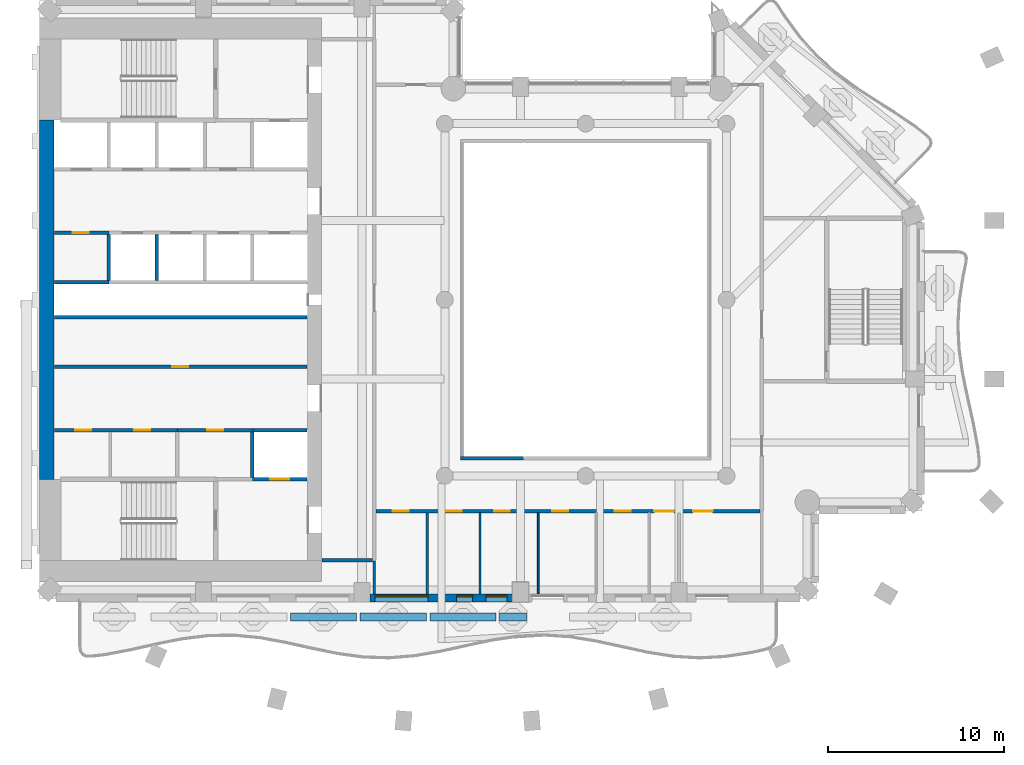
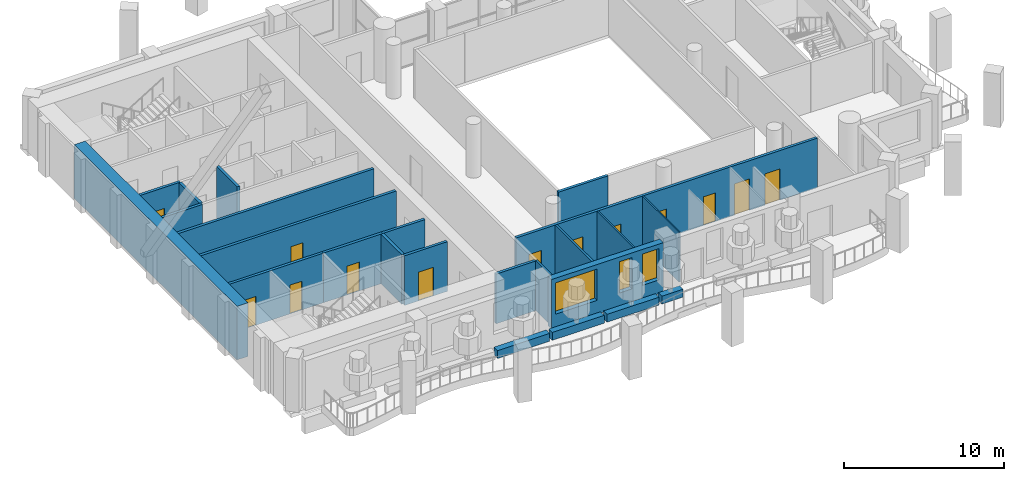
# One storey, part 4 of 16: 24 walls, 13 doors, 3 windows, 16 openings.
"""IFC4 building model written with IfcOpenShell, lengths in metres."""

from ifc_helpers import new_model, si_unit, direction, frame, frame_2d, origin, place, context, subcontext, project, spatial, rectangle, extrude, material, layer, layer_set, type_object, element, fill, save


model = new_model("IFC4")

# Units and contexts
model_context = context("Model", 3, precision=1e-05, world=origin(), true_north=direction((0.0, 1.0)))
body_context = subcontext(model_context, "Body", "Model", "MODEL_VIEW")
ifc_project = project(units=[si_unit("LENGTHUNIT", "METRE"), si_unit("AREAUNIT", "SQUARE_METRE"), si_unit("VOLUMEUNIT", "CUBIC_METRE"), si_unit("PLANEANGLEUNIT", "RADIAN"), si_unit("MASSUNIT", "GRAM", prefix="KILO")], contexts=[model_context])

# Site, building, storey
site_placement = place(None, origin())
site = spatial("IfcSite", under=ifc_project, at=site_placement, CompositionType="ELEMENT")
building_placement = place(site_placement, origin())
building = spatial("IfcBuilding", under=site, at=building_placement, Name="Cypress Arch Tower", CompositionType="ELEMENT")
storey_placement = place(building_placement, frame((0.0, 0.0, 172.800048828125)))
storey = spatial("IfcBuildingStorey", under=building, at=storey_placement, Name="L37", CompositionType="ELEMENT", Elevation=172.800048828125)

# Walls
ifc_material_1 = material(Name="Concrete C40/50, waterproofed", Category="concrete")
ifc_layer_1 = layer(ifc_material_1, 0.449951171875)
ifc_layer_set_1 = layer_set([ifc_layer_1], Name="Balcony planter wall PW450")
wall_type_1 = type_object("IfcWallType", Name="Balcony planter wall PW450", PredefinedType="SOLIDWALL", material=ifc_layer_set_1)
for number, where, z_axis, x_axis, name in (
    (1, (-15.77001953125, -18.0, 0.0), (0.0, 0.0, 1.0), (1.0, 0.0, 0.0), "Balcony planter wall L37-B01.4"),
    (2, (-11.81005859375, -18.0, 0.0), (0.0, 0.0, 1.0), (1.0, 0.0, 0.0), "Balcony planter wall L37-B01.5"),
    (3, (-7.85009765625, -18.0, 0.0), (0.0, 0.0, 1.0), (1.0, 0.0, 0.0), "Balcony planter wall L37-B01.6"),
):
    element("IfcWall", number, at=place(storey_placement, frame(where, z_axis=z_axis, x_axis=x_axis)), inside=storey, type_object=wall_type_1, Name=name, PredefinedType="SOLIDWALL", context=body_context, shape_type="SweptSolid", body=[
        extrude(rectangle(XDim=3.760009765625, YDim=0.449951171875, at=frame_2d((1.8798828125, 0.0))), origin(), (0.0, 0.0, 1.0), 0.599853515625),
    ])
wall_1_placement = place(storey_placement, frame((-3.889892578125, -18.0, 0.0), z_axis=(0.0, 0.0, 1.0), x_axis=(1.0, 0.0, 0.0)))
element("IfcWall", 4, at=wall_1_placement, inside=storey, type_object=wall_type_1, Name="Balcony planter wall L37-B01.7", PredefinedType="SOLIDWALL", context=body_context, shape_type="SweptSolid", body=[
    extrude(rectangle(XDim=1.539794921875, YDim=0.449951171875, at=frame_2d((0.77001953125, 0.0))), origin(), (0.0, 0.0, 1.0), 0.599853515625),
])

# Wall, openings, windows
ifc_material_2 = material(Name="Brick (red buff blend)", Category="masonry")
ifc_layer_2 = layer(ifc_material_2, 0.449951171875)
ifc_layer_set_2 = layer_set([ifc_layer_2], Name="Brick pier and spandrel wall BW450")
wall_type_2 = type_object("IfcWallType", Name="Brick pier and spandrel wall BW450", PredefinedType="SOLIDWALL", material=ifc_layer_set_2)
wall_2_placement = place(storey_placement, frame((-11.25, -16.925048828125, 0.0), z_axis=(0.0, 0.0, 1.0), x_axis=(1.0, 0.0, 0.0)))
wall_2 = element("IfcWall", 5, at=wall_2_placement, inside=storey, type_object=wall_type_2, Name="Brick wall L37 B01.2", PredefinedType="SOLIDWALL", context=body_context, shape_type="SweptSolid", body=[
    extrude(rectangle(XDim=8.10009765625, YDim=0.449951171875, at=frame_2d((4.050048828125, 0.0))), origin(), (0.0, 0.0, 1.0), 3.800048828125),
])
opening_1_placement = place(wall_2_placement, frame((0.300048828125, 0.0, 1.050048828125)))
opening_1 = element("IfcOpeningElement", 6, at=opening_1_placement, cuts=wall_2, Name="Opening W300OD", PredefinedType="OPENING", context=body_context, shape_type="SweptSolid", body=[
    extrude(rectangle(XDim=3.0, YDim=2.39990234375, at=frame_2d((1.5, 1.199951171875))), frame((0.0, 0.23486328125, 0.0), z_axis=(0.0, -1.0, 0.0), x_axis=(1.0, 0.0, 0.0)), (0.0, 0.0, 1.0), 0.469970703125),
])
opening_2_placement = place(wall_2_placement, frame((4.925048828125, 0.0, 1.050048828125)))
opening_2 = element("IfcOpeningElement", 7, at=opening_2_placement, cuts=wall_2, Name="Opening W090OD", PredefinedType="OPENING", context=body_context, shape_type="SweptSolid", body=[
    extrude(rectangle(XDim=0.89990234375, YDim=2.39990234375, at=frame_2d((0.449951171875, 1.199951171875))), frame((0.0, 0.23486328125, 0.0), z_axis=(0.0, -1.0, 0.0), x_axis=(1.0, 0.0, 0.0)), (0.0, 0.0, 1.0), 0.469970703125),
])
opening_3_placement = place(wall_2_placement, frame((6.574951171875, 0.0, 1.050048828125)))
opening_3 = element("IfcOpeningElement", 8, at=opening_3_placement, cuts=wall_2, Name="Opening W120OD", PredefinedType="OPENING", context=body_context, shape_type="SweptSolid", body=[
    extrude(rectangle(XDim=1.199951171875, YDim=2.39990234375, at=frame_2d((0.60009765625, 1.199951171875))), frame((0.0, 0.23486328125, 0.0), z_axis=(0.0, -1.0, 0.0), x_axis=(1.0, 0.0, 0.0)), (0.0, 0.0, 1.0), 0.469970703125),
])
ifc_material_3 = material(Name="Anodised aluminium, bronze finish, laminated low-emissivity double glazing, large-missile impact rated", Category="aluminium")
window_type_1 = type_object("IfcWindowType", Name="Window Office 1200x2400 debris-rated", PartitioningType="SINGLE_PANEL", PredefinedType="WINDOW", material=ifc_material_3)
window_1_placement = place(opening_3_placement, origin())
window_1 = element("IfcWindow", 9, at=window_1_placement, inside=storey, type_object=window_type_1, Name="Window L37 B01.2.2b", OverallHeight=2.39990234375, OverallWidth=1.199951171875, PartitioningType="SINGLE_PANEL", PredefinedType="WINDOW", context=body_context, shape_type="SweptSolid", body=[
    extrude(rectangle(XDim=1.199951171875, YDim=2.39990234375, at=frame_2d((0.60009765625, 1.199951171875))), frame((0.0, 0.135009765625, 0.0), z_axis=(0.0, -1.0, 0.0), x_axis=(1.0, 0.0, 0.0)), (0.0, 0.0, 1.0), 0.06005859375),
])
fill(opening_3, window_1)
ifc_material_4 = material(Name="Anodised aluminium, bronze finish, laminated low-emissivity double glazing, large-missile impact rated", Category="aluminium")
window_type_2 = type_object("IfcWindowType", Name="Window Office 3000x2400 debris-rated", PartitioningType="SINGLE_PANEL", PredefinedType="WINDOW", material=ifc_material_4)
window_2_placement = place(opening_1_placement, origin())
window_2 = element("IfcWindow", 10, at=window_2_placement, inside=storey, type_object=window_type_2, Name="Window L37 B01.2.1", OverallHeight=2.39990234375, OverallWidth=3.0, PartitioningType="SINGLE_PANEL", PredefinedType="WINDOW", context=body_context, shape_type="SweptSolid", body=[
    extrude(rectangle(XDim=3.0, YDim=2.39990234375, at=frame_2d((1.5, 1.199951171875))), frame((0.0, 0.135009765625, 0.0), z_axis=(0.0, -1.0, 0.0), x_axis=(1.0, 0.0, 0.0)), (0.0, 0.0, 1.0), 0.06005859375),
])
fill(opening_1, window_2)
ifc_material_5 = material(Name="Anodised aluminium, bronze finish, laminated low-emissivity double glazing, large-missile impact rated", Category="aluminium")
window_type_3 = type_object("IfcWindowType", Name="Window Office 900x2400 debris-rated", PartitioningType="SINGLE_PANEL", PredefinedType="WINDOW", material=ifc_material_5)
window_3_placement = place(opening_2_placement, origin())
window_3 = element("IfcWindow", 11, at=window_3_placement, inside=storey, type_object=window_type_3, Name="Window L37 B01.2.2", OverallHeight=2.39990234375, OverallWidth=0.89990234375, PartitioningType="SINGLE_PANEL", PredefinedType="WINDOW", context=body_context, shape_type="SweptSolid", body=[
    extrude(rectangle(XDim=0.89990234375, YDim=2.39990234375, at=frame_2d((0.449951171875, 1.199951171875))), frame((0.0, 0.135009765625, 0.0), z_axis=(0.0, -1.0, 0.0), x_axis=(1.0, 0.0, 0.0)), (0.0, 0.0, 1.0), 0.06005859375),
])
fill(opening_2, window_3)

# Wall
ifc_material_6 = material(Name="Concrete C70/85", Category="concrete")
ifc_layer_3 = layer(ifc_material_6, 0.800048828125)
ifc_layer_set_3 = layer_set([ifc_layer_3], Name="Core wall CW800 C70/85")
wall_type_3 = type_object("IfcWallType", Name="Core wall CW800 C70/85", PredefinedType="SHEAR", material=ifc_layer_set_3)
wall_3_placement = place(storey_placement, frame((-29.60009765625, -10.199951171875, 0.0), z_axis=(0.0, 0.0, 1.0), x_axis=(0.0, 1.0, 0.0)))
element("IfcWall", 12, at=wall_3_placement, inside=storey, type_object=wall_type_3, Name="Core wall", PredefinedType="SHEAR", context=body_context, shape_type="SweptSolid", body=[
    extrude(rectangle(XDim=20.39990234375, YDim=0.800048828125, at=frame_2d((10.199951171875, 0.0))), origin(), (0.0, 0.0, 1.0), 4.099853515625),
])

# Wall, openings, doors
ifc_material_7 = material(Name="Concrete blockwork, plastered, rated", Category="masonry")
ifc_layer_4 = layer(ifc_material_7, 0.199951171875)
ifc_layer_set_4 = layer_set([ifc_layer_4], Name="Corridor wall FW200")
wall_type_4 = type_object("IfcWallType", Name="Corridor wall FW200", PredefinedType="PARTITIONING", material=ifc_layer_set_4)
wall_4_placement = place(storey_placement, frame((-29.169921875, -7.39990234375, 0.0), z_axis=(0.0, 0.0, 1.0), x_axis=(1.0, 0.0, 0.0)))
wall_4 = element("IfcWall", 13, at=wall_4_placement, inside=storey, type_object=wall_type_4, Name="Corridor wall", PredefinedType="PARTITIONING", context=body_context, shape_type="SweptSolid", body=[
    extrude(rectangle(XDim=6.989990234375, YDim=0.199951171875, at=frame_2d((3.4951171875, 0.0))), origin(), (0.0, 0.0, 1.0), 3.800048828125),
])
opening_4_placement = place(wall_4_placement, frame((1.199951171875, 0.0, 0.0)))
opening_4 = element("IfcOpeningElement", 14, at=opening_4_placement, cuts=wall_4, Name="Opening D05", PredefinedType="OPENING", context=body_context, shape_type="SweptSolid", body=[
    extrude(rectangle(XDim=0.89990234375, YDim=2.199951171875, at=frame_2d((0.449951171875, 1.10009765625))), frame((0.0, 0.10986328125, 0.0), z_axis=(0.0, -1.0, 0.0), x_axis=(1.0, 0.0, 0.0)), (0.0, 0.0, 1.0), 0.219970703125),
])
opening_5_placement = place(wall_4_placement, frame((4.550048828125, 0.0, 0.0)))
opening_5 = element("IfcOpeningElement", 15, at=opening_5_placement, cuts=wall_4, Name="Opening D05", PredefinedType="OPENING", context=body_context, shape_type="SweptSolid", body=[
    extrude(rectangle(XDim=0.89990234375, YDim=2.199951171875, at=frame_2d((0.449951171875, 1.10009765625))), frame((0.0, 0.10986328125, 0.0), z_axis=(0.0, -1.0, 0.0), x_axis=(1.0, 0.0, 0.0)), (0.0, 0.0, 1.0), 0.219970703125),
])
ifc_material_8 = material(Name="Timber flush door", Category="wood")
door_type_1 = type_object("IfcDoorType", Name="Service door D05 900x2200", OperationType="SINGLE_SWING_LEFT", PredefinedType="DOOR", material=ifc_material_8)
door_1_placement = place(opening_4_placement, origin())
door_1 = element("IfcDoor", 16, at=door_1_placement, inside=storey, type_object=door_type_1, Name="Service door", OperationType="SINGLE_SWING_LEFT", OverallHeight=2.199951171875, OverallWidth=0.89990234375, PredefinedType="DOOR", context=body_context, shape_type="SweptSolid", body=[
    extrude(rectangle(XDim=0.89990234375, YDim=2.199951171875, at=frame_2d((0.449951171875, 1.10009765625))), frame((0.0, 0.02490234375, 0.0), z_axis=(0.0, -1.0, 0.0), x_axis=(1.0, 0.0, 0.0)), (0.0, 0.0, 1.0), 0.050048828125),
])
fill(opening_4, door_1)
door_2_placement = place(opening_5_placement, origin())
door_2 = element("IfcDoor", 17, at=door_2_placement, inside=storey, type_object=door_type_1, Name="Service door", OperationType="SINGLE_SWING_RIGHT", OverallHeight=2.199951171875, OverallWidth=0.89990234375, PredefinedType="DOOR", context=body_context, shape_type="SweptSolid", body=[
    extrude(rectangle(XDim=0.89990234375, YDim=2.199951171875, at=frame_2d((0.449951171875, 1.10009765625))), frame((0.0, 0.02490234375, 0.0), z_axis=(0.0, -1.0, 0.0), x_axis=(1.0, 0.0, 0.0)), (0.0, 0.0, 1.0), 0.050048828125),
])
fill(opening_5, door_2)

# Wall, opening, door
wall_5_placement = place(storey_placement, frame((-29.169921875, -3.800048828125, 0.0), z_axis=(0.0, 0.0, 1.0), x_axis=(1.0, 0.0, 0.0)))
wall_5 = element("IfcWall", 18, at=wall_5_placement, inside=storey, type_object=wall_type_4, Name="Corridor wall", PredefinedType="PARTITIONING", context=body_context, shape_type="SweptSolid", body=[
    extrude(rectangle(XDim=14.33984375, YDim=0.199951171875, at=frame_2d((7.169921875, 0.0))), origin(), (0.0, 0.0, 1.0), 3.800048828125),
])
opening_6_placement = place(wall_5_placement, frame((6.699951171875, 0.0, 0.0)))
opening_6 = element("IfcOpeningElement", 19, at=opening_6_placement, cuts=wall_5, Name="Opening D05", PredefinedType="OPENING", context=body_context, shape_type="SweptSolid", body=[
    extrude(rectangle(XDim=0.89990234375, YDim=2.199951171875, at=frame_2d((0.449951171875, 1.10009765625))), frame((0.0, 0.10986328125, 0.0), z_axis=(0.0, -1.0, 0.0), x_axis=(1.0, 0.0, 0.0)), (0.0, 0.0, 1.0), 0.219970703125),
])
door_3_placement = place(opening_6_placement, origin())
door_3 = element("IfcDoor", 20, at=door_3_placement, inside=storey, type_object=door_type_1, Name="Service door", OperationType="SINGLE_SWING_LEFT", OverallHeight=2.199951171875, OverallWidth=0.89990234375, PredefinedType="DOOR", context=body_context, shape_type="SweptSolid", body=[
    extrude(rectangle(XDim=0.89990234375, YDim=2.199951171875, at=frame_2d((0.449951171875, 1.10009765625))), frame((0.0, 0.02490234375, 0.0), z_axis=(0.0, -1.0, 0.0), x_axis=(1.0, 0.0, 0.0)), (0.0, 0.0, 1.0), 0.050048828125),
])
fill(opening_6, door_3)

wall_6_placement = place(storey_placement, frame((-29.169921875, 3.800048828125, 0.0), z_axis=(0.0, 0.0, 1.0), x_axis=(1.0, 0.0, 0.0)))
wall_6 = element("IfcWall", 21, at=wall_6_placement, inside=storey, type_object=wall_type_4, Name="Corridor wall", PredefinedType="PARTITIONING", context=body_context, shape_type="SweptSolid", body=[
    extrude(rectangle(XDim=3.08984375, YDim=0.199951171875, at=frame_2d((1.544921875, 0.0))), origin(), (0.0, 0.0, 1.0), 3.800048828125),
])
opening_7_placement = place(wall_6_placement, frame((1.050048828125, 0.0, 0.0)))
opening_7 = element("IfcOpeningElement", 22, at=opening_7_placement, cuts=wall_6, Name="Opening D05", PredefinedType="OPENING", context=body_context, shape_type="SweptSolid", body=[
    extrude(rectangle(XDim=0.89990234375, YDim=2.199951171875, at=frame_2d((0.449951171875, 1.10009765625))), frame((0.0, 0.10986328125, 0.0), z_axis=(0.0, -1.0, 0.0), x_axis=(1.0, 0.0, 0.0)), (0.0, 0.0, 1.0), 0.219970703125),
])
door_4_placement = place(opening_7_placement, origin())
door_4 = element("IfcDoor", 23, at=door_4_placement, inside=storey, type_object=door_type_1, Name="Service door", OperationType="SINGLE_SWING_LEFT", OverallHeight=2.199951171875, OverallWidth=0.89990234375, PredefinedType="DOOR", context=body_context, shape_type="SweptSolid", body=[
    extrude(rectangle(XDim=0.89990234375, YDim=2.199951171875, at=frame_2d((0.449951171875, 1.10009765625))), frame((0.0, 0.02490234375, 0.0), z_axis=(0.0, -1.0, 0.0), x_axis=(1.0, 0.0, 0.0)), (0.0, 0.0, 1.0), 0.050048828125),
])
fill(opening_7, door_4)

# Wall
wall_7_placement = place(storey_placement, frame((-13.969970703125, -14.800048828125, 0.0), z_axis=(0.0, 0.0, 1.0), x_axis=(1.0, 0.0, 0.0)))
element("IfcWall", 24, at=wall_7_placement, inside=storey, type_object=wall_type_4, Name="Corridor wall", PredefinedType="PARTITIONING", context=body_context, shape_type="SweptSolid", body=[
    extrude(rectangle(XDim=2.869873046875, YDim=0.199951171875, at=frame_2d((1.43505859375, 0.0))), origin(), (0.0, 0.0, 1.0), 3.800048828125),
])

# Wall, openings, doors
wall_8_placement = place(storey_placement, frame((-10.89990234375, -12.0, 0.0), z_axis=(0.0, 0.0, 1.0), x_axis=(1.0, 0.0, 0.0)))
wall_8 = element("IfcWall", 25, at=wall_8_placement, inside=storey, type_object=wall_type_4, Name="Corridor wall", PredefinedType="PARTITIONING", context=body_context, shape_type="SweptSolid", body=[
    extrude(rectangle(XDim=21.7998046875, YDim=0.199951171875, at=frame_2d((10.89990234375, 0.0))), origin(), (0.0, 0.0, 1.0), 3.800048828125),
])
opening_8_placement = place(wall_8_placement, frame((0.949951171875, 0.0, 0.0)))
opening_8 = element("IfcOpeningElement", 26, at=opening_8_placement, cuts=wall_8, Name="Opening D05", PredefinedType="OPENING", context=body_context, shape_type="SweptSolid", body=[
    extrude(rectangle(XDim=0.89990234375, YDim=2.199951171875, at=frame_2d((0.449951171875, 1.10009765625))), frame((0.0, 0.10986328125, 0.0), z_axis=(0.0, -1.0, 0.0), x_axis=(1.0, 0.0, 0.0)), (0.0, 0.0, 1.0), 0.219970703125),
])
opening_9_placement = place(wall_8_placement, frame((3.949951171875, 0.0, 0.0)))
opening_9 = element("IfcOpeningElement", 27, at=opening_9_placement, cuts=wall_8, Name="Opening D05", PredefinedType="OPENING", context=body_context, shape_type="SweptSolid", body=[
    extrude(rectangle(XDim=0.89990234375, YDim=2.199951171875, at=frame_2d((0.449951171875, 1.10009765625))), frame((0.0, 0.10986328125, 0.0), z_axis=(0.0, -1.0, 0.0), x_axis=(1.0, 0.0, 0.0)), (0.0, 0.0, 1.0), 0.219970703125),
])
opening_10_placement = place(wall_8_placement, frame((6.699951171875, 0.0, 0.0)))
opening_10 = element("IfcOpeningElement", 28, at=opening_10_placement, cuts=wall_8, Name="Opening D03", PredefinedType="OPENING", context=body_context, shape_type="SweptSolid", body=[
    extrude(rectangle(XDim=0.89990234375, YDim=2.199951171875, at=frame_2d((0.449951171875, 1.10009765625))), frame((0.0, 0.10986328125, 0.0), z_axis=(0.0, -1.0, 0.0), x_axis=(1.0, 0.0, 0.0)), (0.0, 0.0, 1.0), 0.219970703125),
])
opening_11_placement = place(wall_8_placement, frame((10.0, 0.0, 0.0)))
opening_11 = element("IfcOpeningElement", 29, at=opening_11_placement, cuts=wall_8, Name="Opening D03", PredefinedType="OPENING", context=body_context, shape_type="SweptSolid", body=[
    extrude(rectangle(XDim=0.89990234375, YDim=2.199951171875, at=frame_2d((0.449951171875, 1.10009765625))), frame((0.0, 0.10986328125, 0.0), z_axis=(0.0, -1.0, 0.0), x_axis=(1.0, 0.0, 0.0)), (0.0, 0.0, 1.0), 0.219970703125),
])
opening_12_placement = place(wall_8_placement, frame((13.550048828125, 0.0, 0.0)))
opening_12 = element("IfcOpeningElement", 30, at=opening_12_placement, cuts=wall_8, Name="Opening D03", PredefinedType="OPENING", context=body_context, shape_type="SweptSolid", body=[
    extrude(rectangle(XDim=0.89990234375, YDim=2.199951171875, at=frame_2d((0.449951171875, 1.10009765625))), frame((0.0, 0.10986328125, 0.0), z_axis=(0.0, -1.0, 0.0), x_axis=(1.0, 0.0, 0.0)), (0.0, 0.0, 1.0), 0.219970703125),
])
opening_13_placement = place(wall_8_placement, frame((15.800048828125, 0.0, 0.0)))
opening_13 = element("IfcOpeningElement", 31, at=opening_13_placement, cuts=wall_8, Name="Opening D01", PredefinedType="OPENING", context=body_context, shape_type="SweptSolid", body=[
    extrude(rectangle(XDim=1.10009765625, YDim=2.39990234375, at=frame_2d((0.550048828125, 1.199951171875))), frame((0.0, 0.10986328125, 0.0), z_axis=(0.0, -1.0, 0.0), x_axis=(1.0, 0.0, 0.0)), (0.0, 0.0, 1.0), 0.219970703125),
])
opening_14_placement = place(wall_8_placement, frame((18.0, 0.0, 0.0)))
opening_14 = element("IfcOpeningElement", 32, at=opening_14_placement, cuts=wall_8, Name="Opening D01", PredefinedType="OPENING", context=body_context, shape_type="SweptSolid", body=[
    extrude(rectangle(XDim=1.10009765625, YDim=2.39990234375, at=frame_2d((0.550048828125, 1.199951171875))), frame((0.0, 0.10986328125, 0.0), z_axis=(0.0, -1.0, 0.0), x_axis=(1.0, 0.0, 0.0)), (0.0, 0.0, 1.0), 0.219970703125),
])
ifc_material_9 = material(Name="Timber flush door, moisture resistant", Category="wood")
door_type_2 = type_object("IfcDoorType", Name="Bathroom door D03 900x2200", OperationType="SINGLE_SWING_LEFT", PredefinedType="DOOR", material=ifc_material_9)
door_5_placement = place(opening_10_placement, origin())
door_5 = element("IfcDoor", 33, at=door_5_placement, inside=storey, type_object=door_type_2, Name="Bathroom door", OperationType="SINGLE_SWING_RIGHT", OverallHeight=2.199951171875, OverallWidth=0.89990234375, PredefinedType="DOOR", context=body_context, shape_type="SweptSolid", body=[
    extrude(rectangle(XDim=0.89990234375, YDim=2.199951171875, at=frame_2d((0.449951171875, 1.10009765625))), frame((0.0, 0.02490234375, 0.0), z_axis=(0.0, -1.0, 0.0), x_axis=(1.0, 0.0, 0.0)), (0.0, 0.0, 1.0), 0.050048828125),
])
fill(opening_10, door_5)
door_6_placement = place(opening_11_placement, origin())
door_6 = element("IfcDoor", 34, at=door_6_placement, inside=storey, type_object=door_type_2, Name="Bathroom door", OperationType="SINGLE_SWING_RIGHT", OverallHeight=2.199951171875, OverallWidth=0.89990234375, PredefinedType="DOOR", context=body_context, shape_type="SweptSolid", body=[
    extrude(rectangle(XDim=0.89990234375, YDim=2.199951171875, at=frame_2d((0.449951171875, 1.10009765625))), frame((0.0, 0.02490234375, 0.0), z_axis=(0.0, -1.0, 0.0), x_axis=(1.0, 0.0, 0.0)), (0.0, 0.0, 1.0), 0.050048828125),
])
fill(opening_11, door_6)
door_7_placement = place(opening_12_placement, origin())
door_7 = element("IfcDoor", 35, at=door_7_placement, inside=storey, type_object=door_type_2, Name="Bathroom door", OperationType="SINGLE_SWING_RIGHT", OverallHeight=2.199951171875, OverallWidth=0.89990234375, PredefinedType="DOOR", context=body_context, shape_type="SweptSolid", body=[
    extrude(rectangle(XDim=0.89990234375, YDim=2.199951171875, at=frame_2d((0.449951171875, 1.10009765625))), frame((0.0, 0.02490234375, 0.0), z_axis=(0.0, -1.0, 0.0), x_axis=(1.0, 0.0, 0.0)), (0.0, 0.0, 1.0), 0.050048828125),
])
fill(opening_12, door_7)
door_8_placement = place(opening_8_placement, origin())
door_8 = element("IfcDoor", 36, at=door_8_placement, inside=storey, type_object=door_type_1, Name="Service door", OperationType="SINGLE_SWING_RIGHT", OverallHeight=2.199951171875, OverallWidth=0.89990234375, PredefinedType="DOOR", context=body_context, shape_type="SweptSolid", body=[
    extrude(rectangle(XDim=0.89990234375, YDim=2.199951171875, at=frame_2d((0.449951171875, 1.10009765625))), frame((0.0, 0.02490234375, 0.0), z_axis=(0.0, -1.0, 0.0), x_axis=(1.0, 0.0, 0.0)), (0.0, 0.0, 1.0), 0.050048828125),
])
fill(opening_8, door_8)
door_9_placement = place(opening_9_placement, origin())
door_9 = element("IfcDoor", 37, at=door_9_placement, inside=storey, type_object=door_type_1, Name="Service door", OperationType="SINGLE_SWING_RIGHT", OverallHeight=2.199951171875, OverallWidth=0.89990234375, PredefinedType="DOOR", context=body_context, shape_type="SweptSolid", body=[
    extrude(rectangle(XDim=0.89990234375, YDim=2.199951171875, at=frame_2d((0.449951171875, 1.10009765625))), frame((0.0, 0.02490234375, 0.0), z_axis=(0.0, -1.0, 0.0), x_axis=(1.0, 0.0, 0.0)), (0.0, 0.0, 1.0), 0.050048828125),
])
fill(opening_9, door_9)
ifc_material_10 = material(Name="Timber flush door, fire resisting, self-closing", Category="wood")
door_type_3 = type_object("IfcDoorType", Name="Unit entrance door D01 1100x2400", OperationType="SINGLE_SWING_LEFT", PredefinedType="DOOR", material=ifc_material_10)
door_10_placement = place(opening_13_placement, origin())
door_10 = element("IfcDoor", 38, at=door_10_placement, inside=storey, type_object=door_type_3, Name="Unit entrance door", OperationType="SINGLE_SWING_LEFT", OverallHeight=2.39990234375, OverallWidth=1.10009765625, PredefinedType="DOOR", context=body_context, shape_type="SweptSolid", body=[
    extrude(rectangle(XDim=1.10009765625, YDim=2.39990234375, at=frame_2d((0.550048828125, 1.199951171875))), frame((0.0, 0.02490234375, 0.0), z_axis=(0.0, -1.0, 0.0), x_axis=(1.0, 0.0, 0.0)), (0.0, 0.0, 1.0), 0.050048828125),
])
fill(opening_13, door_10)
door_11_placement = place(opening_14_placement, origin())
door_11 = element("IfcDoor", 39, at=door_11_placement, inside=storey, type_object=door_type_3, Name="Unit entrance door", OperationType="SINGLE_SWING_RIGHT", OverallHeight=2.39990234375, OverallWidth=1.10009765625, PredefinedType="DOOR", context=body_context, shape_type="SweptSolid", body=[
    extrude(rectangle(XDim=1.10009765625, YDim=2.39990234375, at=frame_2d((0.550048828125, 1.199951171875))), frame((0.0, 0.02490234375, 0.0), z_axis=(0.0, -1.0, 0.0), x_axis=(1.0, 0.0, 0.0)), (0.0, 0.0, 1.0), 0.050048828125),
])
fill(opening_14, door_11)

# Walls
wall_9_placement = place(storey_placement, frame((-6.10009765625, -9.0, 0.0), z_axis=(0.0, 0.0, 1.0), x_axis=(1.0, 0.0, 0.0)))
element("IfcWall", 40, at=wall_9_placement, inside=storey, type_object=wall_type_4, Name="Corridor wall", PredefinedType="PARTITIONING", context=body_context, shape_type="SweptSolid", body=[
    extrude(rectangle(XDim=3.580078125, YDim=0.199951171875, at=frame_2d((1.7900390625, 0.0))), origin(), (0.0, 0.0, 1.0), 3.800048828125),
])
ifc_material_11 = material(Name="Blockwork, plastered both sides", Category="masonry")
ifc_layer_5 = layer(ifc_material_11, 0.14990234375)
ifc_layer_set_5 = layer_set([ifc_layer_5], Name="Partition PW150")
wall_type_5 = type_object("IfcWallType", Name="Partition PW150", PredefinedType="PARTITIONING", material=ifc_layer_set_5)
wall_10_placement = place(storey_placement, frame((-11.0, -16.699951171875, 0.0), z_axis=(0.0, 0.0, 1.0), x_axis=(0.0, 1.0, 0.0)))
element("IfcWall", 41, at=wall_10_placement, inside=storey, type_object=wall_type_5, Name="Partition", PredefinedType="PARTITIONING", context=body_context, shape_type="SweptSolid", body=[
    extrude(rectangle(XDim=1.8798828125, YDim=0.14990234375, at=frame_2d((0.93994140625, 0.0))), origin(), (0.0, 0.0, 1.0), 3.800048828125),
])
wall_11_placement = place(storey_placement, frame((-8.0, -16.699951171875, 0.0), z_axis=(0.0, 0.0, 1.0), x_axis=(0.0, 1.0, 0.0)))
element("IfcWall", 42, at=wall_11_placement, inside=storey, type_object=wall_type_5, Name="Partition", PredefinedType="PARTITIONING", context=body_context, shape_type="SweptSolid", body=[
    extrude(rectangle(XDim=4.599853515625, YDim=0.14990234375, at=frame_2d((2.2998046875, 0.0))), origin(), (0.0, 0.0, 1.0), 3.800048828125),
])
ifc_material_12 = material(Name="Reinforced blockwork, plastered, rated", Category="masonry")
ifc_layer_6 = layer(ifc_material_12, 0.199951171875)
ifc_layer_set_6 = layer_set([ifc_layer_6], Name="Plant and riser wall PL200")
wall_type_6 = type_object("IfcWallType", Name="Plant and riser wall PL200", PredefinedType="PARTITIONING", material=ifc_layer_set_6)
wall_12_placement = place(storey_placement, frame((-29.169921875, -1.0, 0.0), z_axis=(0.0, 0.0, 1.0), x_axis=(1.0, 0.0, 0.0)))
element("IfcWall", 43, at=wall_12_placement, inside=storey, type_object=wall_type_6, Name="Plant and riser wall", PredefinedType="PARTITIONING", context=body_context, shape_type="SweptSolid", body=[
    extrude(rectangle(XDim=14.33984375, YDim=0.199951171875, at=frame_2d((7.169921875, 0.0))), origin(), (0.0, 0.0, 1.0), 3.800048828125),
])
wall_13_placement = place(storey_placement, frame((-29.169921875, 1.0, 0.0), z_axis=(0.0, 0.0, 1.0), x_axis=(1.0, 0.0, 0.0)))
element("IfcWall", 44, at=wall_13_placement, inside=storey, type_object=wall_type_6, Name="Plant and riser wall", PredefinedType="PARTITIONING", context=body_context, shape_type="SweptSolid", body=[
    extrude(rectangle(XDim=3.08984375, YDim=0.199951171875, at=frame_2d((1.544921875, 0.0))), origin(), (0.0, 0.0, 1.0), 3.800048828125),
])

# Wall, opening, door
wall_14_placement = place(storey_placement, frame((-22.179931640625, -7.39990234375, 0.0), z_axis=(0.0, 0.0, 1.0), x_axis=(1.0, 0.0, 0.0)))
wall_14 = element("IfcWall", 45, at=wall_14_placement, inside=storey, type_object=wall_type_6, Name="Plant and riser wall", PredefinedType="PARTITIONING", context=body_context, shape_type="SweptSolid", body=[
    extrude(rectangle(XDim=4.280029296875, YDim=0.199951171875, at=frame_2d((2.14013671875, 0.0))), origin(), (0.0, 0.0, 1.0), 3.800048828125),
])
opening_15_placement = place(wall_14_placement, frame((1.699951171875, 0.0, 0.0)))
opening_15 = element("IfcOpeningElement", 46, at=opening_15_placement, cuts=wall_14, Name="Opening D05", PredefinedType="OPENING", context=body_context, shape_type="SweptSolid", body=[
    extrude(rectangle(XDim=0.89990234375, YDim=2.199951171875, at=frame_2d((0.449951171875, 1.10009765625))), frame((0.0, 0.10986328125, 0.0), z_axis=(0.0, -1.0, 0.0), x_axis=(1.0, 0.0, 0.0)), (0.0, 0.0, 1.0), 0.219970703125),
])
door_12_placement = place(opening_15_placement, origin())
door_12 = element("IfcDoor", 47, at=door_12_placement, inside=storey, type_object=door_type_1, Name="Service door", OperationType="SINGLE_SWING_LEFT", OverallHeight=2.199951171875, OverallWidth=0.89990234375, PredefinedType="DOOR", context=body_context, shape_type="SweptSolid", body=[
    extrude(rectangle(XDim=0.89990234375, YDim=2.199951171875, at=frame_2d((0.449951171875, 1.10009765625))), frame((0.0, 0.02490234375, 0.0), z_axis=(0.0, -1.0, 0.0), x_axis=(1.0, 0.0, 0.0)), (0.0, 0.0, 1.0), 0.050048828125),
])
fill(opening_15, door_12)

# Walls
ifc_material_13 = material(Name="Concrete C50/60", Category="concrete")
ifc_layer_7 = layer(ifc_material_13, 0.199951171875)
ifc_layer_set_7 = layer_set([ifc_layer_7], Name="Shaft wall SH200")
wall_type_7 = type_object("IfcWallType", Name="Shaft wall SH200", PredefinedType="SHEAR", material=ifc_layer_set_7)
wall_15_placement = place(storey_placement, frame((-26.080078125, 1.10009765625, 0.0), z_axis=(0.0, 0.0, 1.0), x_axis=(0.0, 1.0, 0.0)))
element("IfcWall", 48, at=wall_15_placement, inside=storey, type_object=wall_type_7, Name="Shaft wall", PredefinedType="SHEAR", context=body_context, shape_type="SweptSolid", body=[
    extrude(rectangle(XDim=2.599853515625, YDim=0.199951171875, at=frame_2d((1.2998046875, 0.0))), origin(), (0.0, 0.0, 1.0), 3.800048828125),
])
wall_16_placement = place(storey_placement, frame((-23.360107421875, 1.10009765625, 0.0), z_axis=(0.0, 0.0, 1.0), x_axis=(0.0, 1.0, 0.0)))
element("IfcWall", 49, at=wall_16_placement, inside=storey, type_object=wall_type_7, Name="Shaft wall", PredefinedType="SHEAR", context=body_context, shape_type="SweptSolid", body=[
    extrude(rectangle(XDim=2.599853515625, YDim=0.199951171875, at=frame_2d((1.2998046875, 0.0))), origin(), (0.0, 0.0, 1.0), 4.099853515625),
])
wall_17_placement = place(storey_placement, frame((-17.919921875, -10.10009765625, 0.0), z_axis=(0.0, 0.0, 1.0), x_axis=(0.0, 1.0, 0.0)))
element("IfcWall", 50, at=wall_17_placement, inside=storey, type_object=wall_type_7, Name="Shaft wall", PredefinedType="SHEAR", context=body_context, shape_type="SweptSolid", body=[
    extrude(rectangle(XDim=2.60009765625, YDim=0.199951171875, at=frame_2d((1.300048828125, 0.0))), origin(), (0.0, 0.0, 1.0), 3.800048828125),
])

# Wall, opening, door
wall_18_placement = place(storey_placement, frame((-17.919921875, -10.199951171875, 0.0), z_axis=(0.0, 0.0, 1.0), x_axis=(1.0, 0.0, 0.0)))
wall_18 = element("IfcWall", 51, at=wall_18_placement, inside=storey, type_object=wall_type_7, Name="Shaft wall", PredefinedType="SHEAR", context=body_context, shape_type="SweptSolid", body=[
    extrude(rectangle(XDim=3.08984375, YDim=0.199951171875, at=frame_2d((1.544921875, 0.0))), origin(), (0.0, 0.0, 1.0), 3.800048828125),
])
opening_16_placement = place(wall_18_placement, frame((1.0, 0.0, 0.0)))
opening_16 = element("IfcOpeningElement", 52, at=opening_16_placement, cuts=wall_18, Name="Opening LD-FL1", PredefinedType="OPENING", context=body_context, shape_type="SweptSolid", body=[
    extrude(rectangle(XDim=1.10009765625, YDim=2.199951171875, at=frame_2d((0.550048828125, 1.10009765625))), frame((0.0, 0.10986328125, 0.0), z_axis=(0.0, -1.0, 0.0), x_axis=(1.0, 0.0, 0.0)), (0.0, 0.0, 1.0), 0.219970703125),
])
ifc_material_14 = material(Name="Stainless steel centre-opening landing door, rated", Category="steel")
door_type_4 = type_object("IfcDoorType", Name="Lift landing door LD 1100x2200", OperationType="DOUBLE_DOOR_SLIDING", PredefinedType="DOOR", material=ifc_material_14)
door_13_placement = place(opening_16_placement, origin())
door_13 = element("IfcDoor", 53, at=door_13_placement, inside=storey, type_object=door_type_4, Name="Lift landing doors FL1", OperationType="DOUBLE_DOOR_SLIDING", OverallHeight=2.199951171875, OverallWidth=1.10009765625, PredefinedType="DOOR", context=body_context, shape_type="SweptSolid", body=[
    extrude(rectangle(XDim=1.10009765625, YDim=2.199951171875, at=frame_2d((0.550048828125, 1.10009765625))), frame((0.0, 0.02490234375, 0.0), z_axis=(0.0, -1.0, 0.0), x_axis=(1.0, 0.0, 0.0)), (0.0, 0.0, 1.0), 0.050048828125),
])
fill(opening_16, door_13)

# Walls
wall_19_placement = place(storey_placement, frame((-17.89990234375, -7.39990234375, 0.0), z_axis=(0.0, 0.0, 1.0), x_axis=(1.0, 0.0, 0.0)))
element("IfcWall", 54, at=wall_19_placement, inside=storey, type_object=wall_type_7, Name="Shaft wall", PredefinedType="SHEAR", context=body_context, shape_type="SweptSolid", body=[
    extrude(rectangle(XDim=3.06982421875, YDim=0.199951171875, at=frame_2d((1.534912109375, 0.0))), origin(), (0.0, 0.0, 1.0), 3.800048828125),
])
ifc_material_15 = material(Name="Moisture resistant board on steel studs, tiled", Category="steel")
ifc_layer_8 = layer(ifc_material_15, 0.10009765625)
ifc_layer_set_8 = layer_set([ifc_layer_8], Name="Wet wall PW100")
wall_type_8 = type_object("IfcWallType", Name="Wet wall PW100", PredefinedType="PARTITIONING", material=ifc_layer_set_8)
for number, where, z_axis, x_axis, name in (
    (55, (-5.0, -16.699951171875, 0.0), (0.0, 0.0, 1.0), (0.0, 1.0, 0.0), "Wet wall"),
    (56, (-1.698974609375, -16.699951171875, 0.0), (0.0, 0.0, 1.0), (0.0, 1.0, 0.0), "Wet wall"),
):
    element("IfcWall", number, at=place(storey_placement, frame(where, z_axis=z_axis, x_axis=x_axis)), inside=storey, type_object=wall_type_8, Name=name, PredefinedType="PARTITIONING", context=body_context, shape_type="SweptSolid", body=[
        extrude(rectangle(XDim=4.599853515625, YDim=0.10009765625, at=frame_2d((2.2998046875, 0.0))), origin(), (0.0, 0.0, 1.0), 3.800048828125),
    ])

save(model, "model.ifc")
